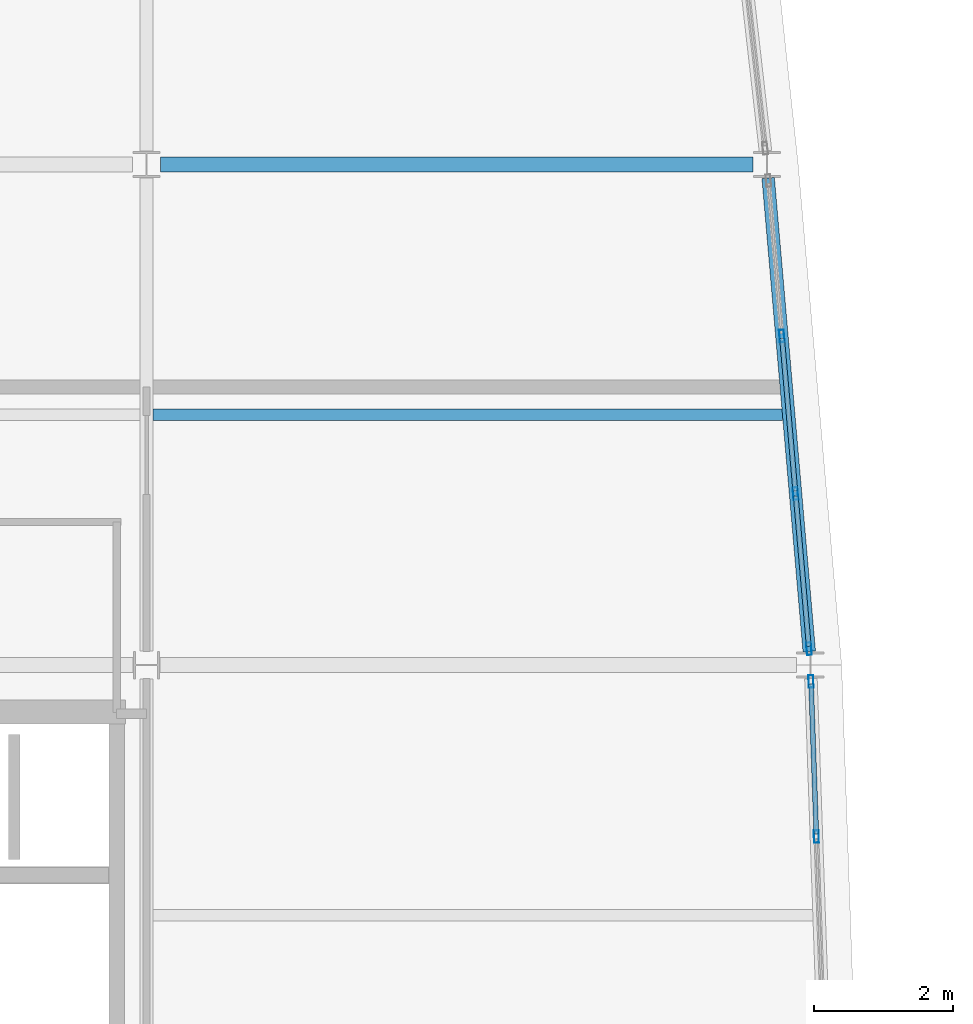
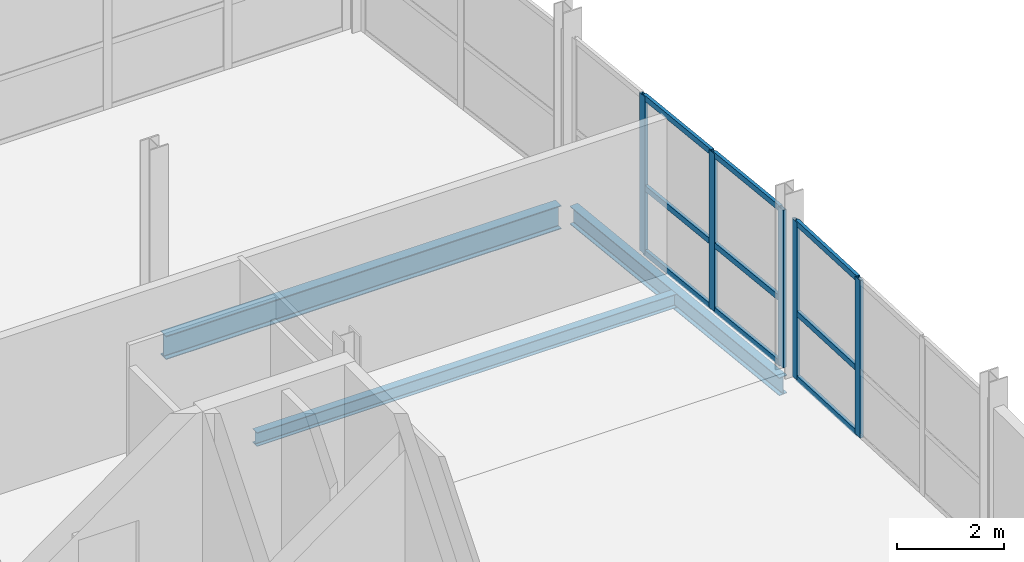
# One storey, part 31 of 60: 14 members, 3 beams, 2 elements without a shape of their own.
"""IFC4 building model written with IfcOpenShell, lengths in metres."""

from ifc_helpers import new_model, si_unit, direction, frame, origin, origin_2d, place, context, subcontext, project, spatial, hollow_rectangle, i_section, extrude, material, layer, layer_set, material_profile, profile_set, type_object, element, aggregate, save


model = new_model("IFC4")

# Units and contexts
model_context = context("Model", 3, precision=1e-05, world=origin(), true_north=direction((0.0, 1.0)))
body_context = subcontext(model_context, "Body", "Model", "MODEL_VIEW")
ifc_project = project(units=[si_unit("LENGTHUNIT", "METRE"), si_unit("AREAUNIT", "SQUARE_METRE"), si_unit("VOLUMEUNIT", "CUBIC_METRE"), si_unit("PLANEANGLEUNIT", "RADIAN"), si_unit("MASSUNIT", "GRAM", prefix="KILO")], contexts=[model_context])

# Site, building, storey
site_placement = place(None, origin())
site = spatial("IfcSite", under=ifc_project, at=site_placement, CompositionType="ELEMENT")
building_placement = place(site_placement, origin())
building = spatial("IfcBuilding", under=site, at=building_placement, Name="Quillay Park Conservatory", CompositionType="ELEMENT")
storey_placement = place(building_placement, frame((0.0, 0.0, 9.89990234375)))
storey = spatial("IfcBuildingStorey", under=building, at=storey_placement, Name="L02", CompositionType="ELEMENT", Elevation=9.89990234375)

# Beam
ifc_material_1 = material(Name="Steel ASTM A992 Grade 50", Category="steel")
ifc_material_profile_1 = material_profile(ifc_material_1, i_section(OverallWidth=0.166015625, OverallDepth=0.31298828125, WebThickness=0.006591796875, FlangeThickness=0.01123046875, FilletRadius=0.010009765625, at=origin_2d()), Name="W310x45")
ifc_profile_set_1 = profile_set([ifc_material_profile_1], Name="Steel ASTM A992 Grade 50")
beam_type_1 = type_object("IfcBeamType", Name="COMPOSITE FLOOR JOIST W310 X45", PredefinedType="JOIST", material=ifc_profile_set_1)
beam_1_placement = place(storey_placement, frame((19.845947265625, 103.199951171875, -0.386474609375), z_axis=(1.0, 0.0, 0.0), x_axis=(0.0, 1.0, 0.0)))
element("IfcBeam", 1, at=beam_1_placement, inside=storey, type_object=beam_type_1, Name="L02 beam BM-J-0235", PredefinedType="JOIST", context=body_context, shape_type="SweptSolid", body=[
    extrude(i_section(OverallWidth=0.166015625, OverallDepth=0.31298828125, WebThickness=0.006591796875, FlangeThickness=0.01123046875, FilletRadius=0.010009765625, at=origin_2d()), origin(), (0.0, 0.0, 1.0), 9.051513671875),
])

# Curtain wall, members
ifc_material_2 = material(Name="Thermally Broken Anodised Aluminium 6063-T6", Category="aluminium")
ifc_layer = layer(ifc_material_2, 0.179931640625)
ifc_layer_set = layer_set([ifc_layer], Name="UNITISED CURTAIN WALL TOWER (Thermally Broken Anodised Aluminium 6063-T6)")
curtain_wall_type = type_object("IfcCurtainWallType", Name="UNITISED CURTAIN WALL TOWER", PredefinedType="USERDEFINED", material=ifc_layer_set)
curtain_wall_1_placement = place(storey_placement, origin())
curtain_wall_1 = element("IfcCurtainWall", 2, at=curtain_wall_1_placement, inside=storey, type_object=curtain_wall_type, Name="L02 Unitised Curtain Wall 022", ObjectType="UNITISED CURTAIN WALL", PredefinedType="USERDEFINED")
ifc_material_3 = material(Name="Thermally Broken Anodised Aluminium 6063-T6", Category="aluminium")
ifc_material_profile_2 = material_profile(ifc_material_3, hollow_rectangle(XDim=0.070068359375, YDim=0.179931640625, WallThickness=0.00390625, at=origin_2d()), Name="AL70x180x4")
ifc_profile_set_2 = profile_set([ifc_material_profile_2], Name="Thermally Broken Anodised Aluminium 6063-T6")
member_type_1 = type_object("IfcMemberType", Name="CURTAIN WALL MULLION 70 X180", PredefinedType="MULLION", material=ifc_profile_set_2)
member_1_placement = place(storey_placement, frame((29.30810546875, 99.365234375, 0.0), z_axis=(0.0, 0.0, 1.0), x_axis=(0.999397310446, 0.034713338537, 0.0)))
member_1 = element("IfcMember", 3, at=member_1_placement, type_object=member_type_1, Name="CW-T1 mullion 1", PredefinedType="MULLION", context=body_context, shape_type="SweptSolid", body=[
    extrude(hollow_rectangle(XDim=0.070068359375, YDim=0.179931640625, WallThickness=0.00390625, at=origin_2d()), origin(), (0.0, 0.0, 1.0), 3.59912109375),
])
member_2_placement = place(storey_placement, frame((29.3857421875, 97.13330078125, 0.0), z_axis=(0.0, 0.0, 1.0), x_axis=(0.999397310446, 0.034713338537, 0.0)))
member_2 = element("IfcMember", 4, at=member_2_placement, type_object=member_type_1, Name="CW-T1 mullion 2", PredefinedType="MULLION", context=body_context, shape_type="SweptSolid", body=[
    extrude(hollow_rectangle(XDim=0.070068359375, YDim=0.179931640625, WallThickness=0.00390625, at=origin_2d()), origin(), (0.0, 0.0, 1.0), 3.59912109375),
])

curtain_wall_2_placement = place(storey_placement, origin())
curtain_wall_2 = element("IfcCurtainWall", 5, at=curtain_wall_2_placement, inside=storey, type_object=curtain_wall_type, Name="L02 Unitised Curtain Wall 023", ObjectType="UNITISED CURTAIN WALL", PredefinedType="USERDEFINED")
member_3_placement = place(storey_placement, frame((28.88916015625, 104.33349609375, 0.0), z_axis=(0.0, 0.0, 1.0), x_axis=(0.996253548413, 0.086480444465, 0.0)))
member_3 = element("IfcMember", 6, at=member_3_placement, type_object=member_type_1, Name="CW-T1 mullion 2", PredefinedType="MULLION", context=body_context, shape_type="SweptSolid", body=[
    extrude(hollow_rectangle(XDim=0.070068359375, YDim=0.179931640625, WallThickness=0.00390625, at=origin_2d()), origin(), (0.0, 0.0, 1.0), 3.59912109375),
])
member_4_placement = place(storey_placement, frame((29.0859375, 102.06640625, 0.0), z_axis=(0.0, 0.0, 1.0), x_axis=(0.996253548413, 0.086480444465, 0.0)))
member_4 = element("IfcMember", 7, at=member_4_placement, type_object=member_type_1, Name="CW-T1 mullion 3", PredefinedType="MULLION", context=body_context, shape_type="SweptSolid", body=[
    extrude(hollow_rectangle(XDim=0.070068359375, YDim=0.179931640625, WallThickness=0.00390625, at=origin_2d()), origin(), (0.0, 0.0, 1.0), 3.59912109375),
])
member_5_placement = place(storey_placement, frame((29.27978515625, 99.834228515625, 0.0), z_axis=(0.0, 0.0, 1.0), x_axis=(0.996253548413, 0.086480444465, 0.0)))
member_5 = element("IfcMember", 8, at=member_5_placement, type_object=member_type_1, Name="CW-T1 mullion 4", PredefinedType="MULLION", context=body_context, shape_type="SweptSolid", body=[
    extrude(hollow_rectangle(XDim=0.070068359375, YDim=0.179931640625, WallThickness=0.00390625, at=origin_2d()), origin(), (0.0, 0.0, 1.0), 3.59912109375),
])

# Member
ifc_material_4 = material(Name="Thermally Broken Anodised Aluminium 6063-T6", Category="aluminium")
ifc_material_profile_3 = material_profile(ifc_material_4, hollow_rectangle(XDim=0.070068359375, YDim=0.1298828125, WallThickness=0.003173828125, at=origin_2d()), Name="AL70x130x3.2")
ifc_profile_set_3 = profile_set([ifc_material_profile_3], Name="Thermally Broken Anodised Aluminium 6063-T6")
member_type_2 = type_object("IfcMemberType", Name="CURTAIN WALL TRANSOM 70 X130", PredefinedType="USERDEFINED", material=ifc_profile_set_3)
member_6_placement = place(storey_placement, frame((29.309326171875, 99.330078125, 0.03515625), z_axis=(0.034765508592, -0.999395496994, 0.0), x_axis=(0.999395496994, 0.034765508592, 0.0)))
member_6 = element("IfcMember", 9, at=member_6_placement, type_object=member_type_2, Name="CW-T1 transom 1.1", ObjectType="TRANSOM", PredefinedType="USERDEFINED", context=body_context, shape_type="SweptSolid", body=[
    extrude(hollow_rectangle(XDim=0.070068359375, YDim=0.1298828125, WallThickness=0.003173828125, at=origin_2d()), origin(), (0.0, 0.0, 1.0), 2.162841796875),
])

member_7_placement = place(storey_placement, frame((29.309326171875, 99.330078125, 1.51171875), z_axis=(0.034765508592, -0.999395496994, 0.0), x_axis=(0.999395496994, 0.034765508592, 0.0)))
member_7 = element("IfcMember", 10, at=member_7_placement, type_object=member_type_2, Name="CW-T1 transom 1.2", ObjectType="TRANSOM", PredefinedType="USERDEFINED", context=body_context, shape_type="SweptSolid", body=[
    extrude(hollow_rectangle(XDim=0.070068359375, YDim=0.1298828125, WallThickness=0.003173828125, at=origin_2d()), origin(), (0.0, 0.0, 1.0), 2.162841796875),
])

member_8_placement = place(storey_placement, frame((29.309326171875, 99.330078125, 3.564208984375), z_axis=(0.034765508592, -0.999395496994, 0.0), x_axis=(0.999395496994, 0.034765508592, 0.0)))
member_8 = element("IfcMember", 11, at=member_8_placement, type_object=member_type_2, Name="CW-T1 transom 1.3", ObjectType="TRANSOM", PredefinedType="USERDEFINED", context=body_context, shape_type="SweptSolid", body=[
    extrude(hollow_rectangle(XDim=0.070068359375, YDim=0.1298828125, WallThickness=0.003173828125, at=origin_2d()), origin(), (0.0, 0.0, 1.0), 2.162841796875),
])

aggregate(curtain_wall_1, [member_1, member_2, member_6, member_7, member_8])

member_9_placement = place(storey_placement, frame((28.89208984375, 104.298583984375, 0.03515625), z_axis=(0.086452876664, -0.99625594107, 0.0), x_axis=(0.99625594107, 0.086452876664, 0.0)))
member_9 = element("IfcMember", 12, at=member_9_placement, type_object=member_type_2, Name="CW-T1 transom 2.1", ObjectType="TRANSOM", PredefinedType="USERDEFINED", context=body_context, shape_type="SweptSolid", body=[
    extrude(hollow_rectangle(XDim=0.070068359375, YDim=0.1298828125, WallThickness=0.003173828125, at=origin_2d()), origin(), (0.0, 0.0, 1.0), 2.20556640625),
])

member_10_placement = place(storey_placement, frame((28.89208984375, 104.298583984375, 1.51171875), z_axis=(0.086452876664, -0.99625594107, 0.0), x_axis=(0.99625594107, 0.086452876664, 0.0)))
member_10 = element("IfcMember", 13, at=member_10_placement, type_object=member_type_2, Name="CW-T1 transom 2.2", ObjectType="TRANSOM", PredefinedType="USERDEFINED", context=body_context, shape_type="SweptSolid", body=[
    extrude(hollow_rectangle(XDim=0.070068359375, YDim=0.1298828125, WallThickness=0.003173828125, at=origin_2d()), origin(), (0.0, 0.0, 1.0), 2.20556640625),
])

member_11_placement = place(storey_placement, frame((28.89208984375, 104.298583984375, 3.564208984375), z_axis=(0.086452876664, -0.99625594107, 0.0), x_axis=(0.99625594107, 0.086452876664, 0.0)))
member_11 = element("IfcMember", 14, at=member_11_placement, type_object=member_type_2, Name="CW-T1 transom 2.3", ObjectType="TRANSOM", PredefinedType="USERDEFINED", context=body_context, shape_type="SweptSolid", body=[
    extrude(hollow_rectangle(XDim=0.070068359375, YDim=0.1298828125, WallThickness=0.003173828125, at=origin_2d()), origin(), (0.0, 0.0, 1.0), 2.20556640625),
])

member_12_placement = place(storey_placement, frame((29.0888671875, 102.031494140625, 0.03515625), z_axis=(0.086498562623, -0.996251975488, 0.0), x_axis=(0.996251975488, 0.086498562623, 0.0)))
member_12 = element("IfcMember", 15, at=member_12_placement, type_object=member_type_2, Name="CW-T1 transom 3.1", ObjectType="TRANSOM", PredefinedType="USERDEFINED", context=body_context, shape_type="SweptSolid", body=[
    extrude(hollow_rectangle(XDim=0.070068359375, YDim=0.1298828125, WallThickness=0.003173828125, at=origin_2d()), origin(), (0.0, 0.0, 1.0), 2.17041015625),
])

member_13_placement = place(storey_placement, frame((29.0888671875, 102.031494140625, 1.51171875), z_axis=(0.086498562623, -0.996251975488, 0.0), x_axis=(0.996251975488, 0.086498562623, 0.0)))
member_13 = element("IfcMember", 16, at=member_13_placement, type_object=member_type_2, Name="CW-T1 transom 3.2", ObjectType="TRANSOM", PredefinedType="USERDEFINED", context=body_context, shape_type="SweptSolid", body=[
    extrude(hollow_rectangle(XDim=0.070068359375, YDim=0.1298828125, WallThickness=0.003173828125, at=origin_2d()), origin(), (0.0, 0.0, 1.0), 2.17041015625),
])

member_14_placement = place(storey_placement, frame((29.0888671875, 102.031494140625, 3.564208984375), z_axis=(0.086498562623, -0.996251975488, 0.0), x_axis=(0.996251975488, 0.086498562623, 0.0)))
member_14 = element("IfcMember", 17, at=member_14_placement, type_object=member_type_2, Name="CW-T1 transom 3.3", ObjectType="TRANSOM", PredefinedType="USERDEFINED", context=body_context, shape_type="SweptSolid", body=[
    extrude(hollow_rectangle(XDim=0.070068359375, YDim=0.1298828125, WallThickness=0.003173828125, at=origin_2d()), origin(), (0.0, 0.0, 1.0), 2.17041015625),
])

aggregate(curtain_wall_2, [member_3, member_4, member_5, member_9, member_10, member_11, member_12, member_13, member_14])

# Beams
ifc_material_5 = material(Name="Steel ASTM A992 Grade 50", Category="steel")
ifc_material_profile_4 = material_profile(ifc_material_5, i_section(OverallWidth=0.179931640625, OverallDepth=0.4130859375, WebThickness=0.009765625, FlangeThickness=0.01611328125, FilletRadius=0.011962890625, at=origin_2d()), Name="W410x74")
ifc_profile_set_4 = profile_set([ifc_material_profile_4], Name="Steel ASTM A992 Grade 50")
beam_type_2 = type_object("IfcBeamType", Name="PERIMETER SPANDREL BEAM W410 X74", PredefinedType="SPANDREL", material=ifc_profile_set_4)
beam_2_placement = place(storey_placement, frame((29.282958984375, 99.7958984375, -0.4365234375), z_axis=(-0.08648933098, 0.996252776973, 0.0), x_axis=(-0.996252776973, -0.08648933098, 0.0)))
element("IfcBeam", 18, at=beam_2_placement, inside=storey, type_object=beam_type_2, Name="L02 beam BM-SPE-0231", PredefinedType="SPANDREL", context=body_context, shape_type="SweptSolid", body=[
    extrude(i_section(OverallWidth=0.179931640625, OverallDepth=0.4130859375, WebThickness=0.009765625, FlangeThickness=0.01611328125, FilletRadius=0.011962890625, at=origin_2d()), origin(), (0.0, 0.0, 1.0), 6.833984375),
])
ifc_material_6 = material(Name="Steel ASTM A992 Grade 50", Category="steel")
ifc_material_profile_5 = material_profile(ifc_material_6, i_section(OverallWidth=0.2109375, OverallDepth=0.5390625, WebThickness=0.01171875, FlangeThickness=0.018798828125, FilletRadius=0.013916015625, at=origin_2d()), Name="W530x109")
ifc_profile_set_5 = profile_set([ifc_material_profile_5], Name="Steel ASTM A992 Grade 50")
beam_type_3 = type_object("IfcBeamType", Name="PRIMARY FLOOR GIRDER W530 X109", PredefinedType="BEAM", material=ifc_profile_set_5)
beam_3_placement = place(storey_placement, frame((19.949462890625, 106.800048828125, -0.49951171875), z_axis=(1.0, 0.0, 0.0), x_axis=(0.0, 1.0, 0.0)))
element("IfcBeam", 19, at=beam_3_placement, inside=storey, type_object=beam_type_3, Name="L02 beam BM-G-0194", PredefinedType="BEAM", context=body_context, shape_type="SweptSolid", body=[
    extrude(i_section(OverallWidth=0.2109375, OverallDepth=0.5390625, WebThickness=0.01171875, FlangeThickness=0.018798828125, FilletRadius=0.013916015625, at=origin_2d()), origin(), (0.0, 0.0, 1.0), 8.526123046875),
])

save(model, "model.ifc")
